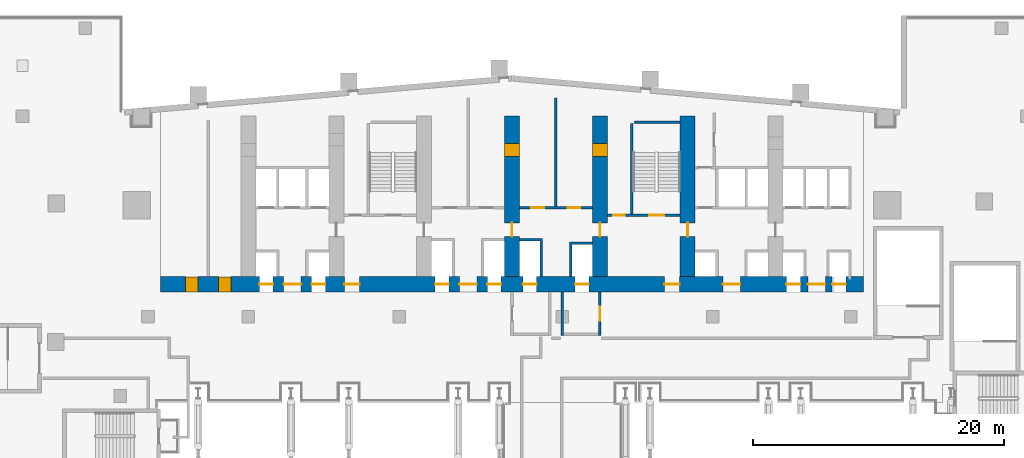
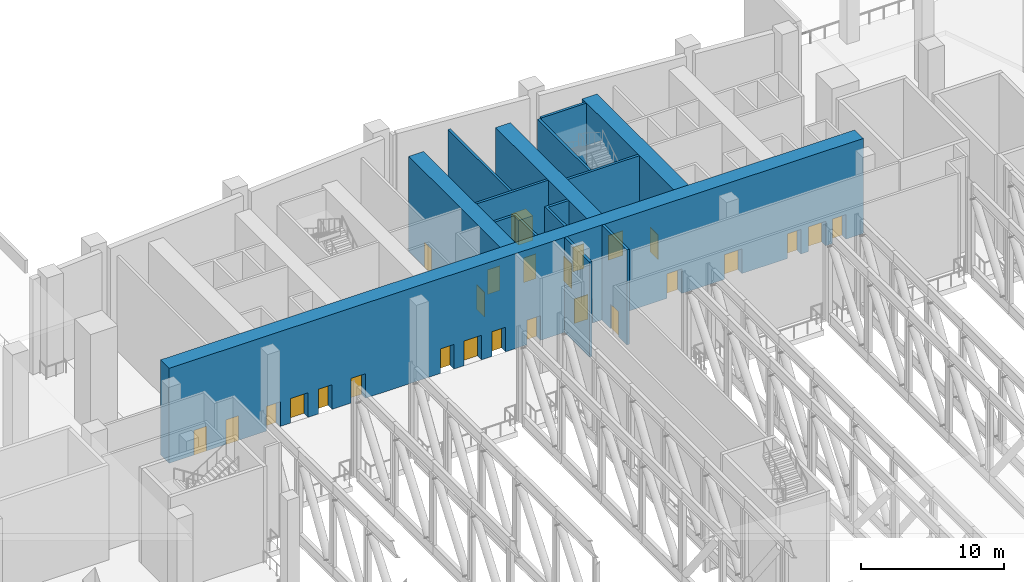
# One storey, part 13 of 33: 26 doors, 13 walls, 26 openings.
"""IFC4 building model written with IfcOpenShell, lengths in metres."""

from ifc_helpers import new_model, si_unit, direction, frame, frame_2d, origin, place, context, subcontext, project, spatial, polyline, rectangle, outline, extrude, material, layer, layer_set, type_object, element, fill, save


model = new_model("IFC4")

# Units and contexts
model_context = context("Model", 3, precision=1e-05, world=origin(), true_north=direction((0.0, 1.0)))
body_context = subcontext(model_context, "Body", "Model", "MODEL_VIEW")
ifc_project = project(units=[si_unit("LENGTHUNIT", "METRE"), si_unit("AREAUNIT", "SQUARE_METRE"), si_unit("VOLUMEUNIT", "CUBIC_METRE"), si_unit("PLANEANGLEUNIT", "RADIAN"), si_unit("MASSUNIT", "GRAM", prefix="KILO")], contexts=[model_context])

# Site, building, storey
site_placement = place(None, origin())
site = spatial("IfcSite", under=ifc_project, at=site_placement, CompositionType="ELEMENT")
building_placement = place(site_placement, origin())
building = spatial("IfcBuilding", under=site, at=building_placement, Name="Wharfspan Tower", CompositionType="ELEMENT")
storey_placement = place(building_placement, frame((0.0, 0.0, 33.0)))
storey = spatial("IfcBuildingStorey", under=building, at=storey_placement, Name="L05", CompositionType="ELEMENT", Elevation=33.0)

# Wall
ifc_material_1 = material(Name="Calcium silicate masonry", Category="masonry")
ifc_layer_1 = layer(ifc_material_1, 0.199951)
ifc_layer_set_1 = layer_set([ifc_layer_1], Name="Calcium silicate masonry")
wall_type_1 = type_object("IfcWallType", Name="Core room wall 200", PredefinedType="PARTITIONING", material=ifc_layer_set_1)
wall_1_placement = place(storey_placement, frame((40.5, 40.800049, 0.0), z_axis=(0.0, 0.0, 1.0), x_axis=(0.0, 1.0, 0.0)))
element("IfcWall", 1, at=wall_1_placement, inside=storey, type_object=wall_type_1, Name="sw:L05:RP4.1", PredefinedType="PARTITIONING", context=body_context, shape_type="SweptSolid", body=[
    extrude(rectangle(XDim=8.652588, YDim=0.199951, at=frame_2d((4.326172, 0.0))), origin(), (0.0, 0.0, 1.0), 8.100098),
])

# Wall, openings, doors
ifc_material_2 = material(Name="Concrete C70/85", Category="concrete")
ifc_layer_2 = layer(ifc_material_2, 1.199951)
ifc_layer_set_2 = layer_set([ifc_layer_2], Name="Concrete C70/85")
wall_type_2 = type_object("IfcWallType", Name="Core wall fallback 1.2", PredefinedType="SHEAR", material=ifc_layer_set_2)
wall_2_placement = place(storey_placement, frame((9.0, 34.600098, 0.0), z_axis=(0.0, 0.0, 1.0), x_axis=(1.0, 0.0, 0.0)))
wall_2 = element("IfcWall", 2, at=wall_2_placement, inside=storey, type_object=wall_type_2, Name="cw:L05:FW", PredefinedType="SHEAR", context=body_context, shape_type="SweptSolid", body=[
    extrude(rectangle(XDim=56.0, YDim=1.199951, at=frame_2d((28.0, 0.0))), origin(), (0.0, 0.0, 1.0), 8.100098),
])
opening_1_placement = place(wall_2_placement, frame((2.0, 0.0, 0.0)))
opening_1 = element("IfcOpeningElement", 3, at=opening_1_placement, cuts=wall_2, Name="Opening CD05.01", PredefinedType="OPENING", context=body_context, shape_type="SweptSolid", body=[
    extrude(rectangle(XDim=1.0, YDim=2.100098, at=frame_2d((0.5, 1.050049))), frame((0.0, 0.609863, 0.0), z_axis=(0.0, -1.0, 0.0), x_axis=(1.0, 0.0, 0.0)), (0.0, 0.0, 1.0), 1.219971),
])
opening_2_placement = place(wall_2_placement, frame((4.600098, 0.0, 0.0)))
opening_2 = element("IfcOpeningElement", 4, at=opening_2_placement, cuts=wall_2, Name="Opening CD05.02", PredefinedType="OPENING", context=body_context, shape_type="SweptSolid", body=[
    extrude(rectangle(XDim=1.0, YDim=2.100098, at=frame_2d((0.5, 1.050049))), frame((0.0, 0.609863, 0.0), z_axis=(0.0, -1.0, 0.0), x_axis=(1.0, 0.0, 0.0)), (0.0, 0.0, 1.0), 1.219971),
])
opening_3_placement = place(wall_2_placement, frame((7.866699, 0.0, 0.0)))
opening_3 = element("IfcOpeningElement", 5, at=opening_3_placement, cuts=wall_2, Name="Opening LD.LA1.L05", PredefinedType="OPENING", context=body_context, shape_type="SweptSolid", body=[
    extrude(rectangle(XDim=1.100098, YDim=2.100098, at=frame_2d((0.550049, 1.050049))), frame((0.0, 0.609863, 0.0), z_axis=(0.0, -1.0, 0.0), x_axis=(1.0, 0.0, 0.0)), (0.0, 0.0, 1.0), 1.219971),
])
opening_4_placement = place(wall_2_placement, frame((12.033203, 0.0, 0.0)))
opening_4 = element("IfcOpeningElement", 6, at=opening_4_placement, cuts=wall_2, Name="Opening LD.LA2.L05", PredefinedType="OPENING", context=body_context, shape_type="SweptSolid", body=[
    extrude(rectangle(XDim=1.100098, YDim=2.100098, at=frame_2d((0.550049, 1.050049))), frame((0.0, 0.609863, 0.0), z_axis=(0.0, -1.0, 0.0), x_axis=(1.0, 0.0, 0.0)), (0.0, 0.0, 1.0), 1.219971),
])
opening_5_placement = place(wall_2_placement, frame((9.800049, 0.0, 0.0)))
opening_5 = element("IfcOpeningElement", 7, at=opening_5_placement, cuts=wall_2, Name="Opening HD05.1", PredefinedType="OPENING", context=body_context, shape_type="SweptSolid", body=[
    extrude(rectangle(XDim=1.399902, YDim=2.100098, at=frame_2d((0.699951, 1.050049))), frame((0.0, 0.609863, 0.0), z_axis=(0.0, -1.0, 0.0), x_axis=(1.0, 0.0, 0.0)), (0.0, 0.0, 1.0), 1.219971),
])
opening_6_placement = place(wall_2_placement, frame((14.649902, 0.0, 0.0)))
opening_6 = element("IfcOpeningElement", 8, at=opening_6_placement, cuts=wall_2, Name="Opening SV2.L05", PredefinedType="OPENING", context=body_context, shape_type="SweptSolid", body=[
    extrude(rectangle(XDim=1.199951, YDim=2.100098, at=frame_2d((0.600098, 1.050049))), frame((0.0, 0.609863, 0.0), z_axis=(0.0, -1.0, 0.0), x_axis=(1.0, 0.0, 0.0)), (0.0, 0.0, 1.0), 1.219971),
])
opening_7_placement = place(wall_2_placement, frame((21.866699, 0.0, 0.0)))
opening_7 = element("IfcOpeningElement", 9, at=opening_7_placement, cuts=wall_2, Name="Opening LD.SL1.L05", PredefinedType="OPENING", context=body_context, shape_type="SweptSolid", body=[
    extrude(rectangle(XDim=1.100098, YDim=2.100098, at=frame_2d((0.550049, 1.050049))), frame((0.0, 0.609863, 0.0), z_axis=(0.0, -1.0, 0.0), x_axis=(1.0, 0.0, 0.0)), (0.0, 0.0, 1.0), 1.219971),
])
opening_8_placement = place(wall_2_placement, frame((26.033203, 0.0, 0.0)))
opening_8 = element("IfcOpeningElement", 10, at=opening_8_placement, cuts=wall_2, Name="Opening LD.SL2.L05", PredefinedType="OPENING", context=body_context, shape_type="SweptSolid", body=[
    extrude(rectangle(XDim=1.100098, YDim=2.100098, at=frame_2d((0.550049, 1.050049))), frame((0.0, 0.609863, 0.0), z_axis=(0.0, -1.0, 0.0), x_axis=(1.0, 0.0, 0.0)), (0.0, 0.0, 1.0), 1.219971),
])
opening_9_placement = place(wall_2_placement, frame((23.800049, 0.0, 0.0)))
opening_9 = element("IfcOpeningElement", 11, at=opening_9_placement, cuts=wall_2, Name="Opening HD05.3", PredefinedType="OPENING", context=body_context, shape_type="SweptSolid", body=[
    extrude(rectangle(XDim=1.399902, YDim=2.100098, at=frame_2d((0.699951, 1.050049))), frame((0.0, 0.609863, 0.0), z_axis=(0.0, -1.0, 0.0), x_axis=(1.0, 0.0, 0.0)), (0.0, 0.0, 1.0), 1.219971),
])
opening_10_placement = place(wall_2_placement, frame((28.866699, 0.0, 0.0)))
opening_10 = element("IfcOpeningElement", 12, at=opening_10_placement, cuts=wall_2, Name="Opening LD.FF1.L05", PredefinedType="OPENING", context=body_context, shape_type="SweptSolid", body=[
    extrude(rectangle(XDim=1.100098, YDim=2.100098, at=frame_2d((0.550049, 1.050049))), frame((0.0, 0.609863, 0.0), z_axis=(0.0, -1.0, 0.0), x_axis=(1.0, 0.0, 0.0)), (0.0, 0.0, 1.0), 1.219971),
])
opening_11_placement = place(wall_2_placement, frame((33.033203, 0.0, 0.0)))
opening_11 = element("IfcOpeningElement", 13, at=opening_11_placement, cuts=wall_2, Name="Opening LD.FF2.L05", PredefinedType="OPENING", context=body_context, shape_type="SweptSolid", body=[
    extrude(rectangle(XDim=1.100098, YDim=2.100098, at=frame_2d((0.550049, 1.050049))), frame((0.0, 0.609863, 0.0), z_axis=(0.0, -1.0, 0.0), x_axis=(1.0, 0.0, 0.0)), (0.0, 0.0, 1.0), 1.219971),
])
opening_12_placement = place(wall_2_placement, frame((40.149902, 0.0, 0.0)))
opening_12 = element("IfcOpeningElement", 14, at=opening_12_placement, cuts=wall_2, Name="Opening SV5.L05", PredefinedType="OPENING", context=body_context, shape_type="SweptSolid", body=[
    extrude(rectangle(XDim=1.199951, YDim=2.100098, at=frame_2d((0.600098, 1.050049))), frame((0.0, 0.609863, 0.0), z_axis=(0.0, -1.0, 0.0), x_axis=(1.0, 0.0, 0.0)), (0.0, 0.0, 1.0), 1.219971),
])
opening_13_placement = place(wall_2_placement, frame((44.800049, 0.0, 0.0)))
opening_13 = element("IfcOpeningElement", 15, at=opening_13_placement, cuts=wall_2, Name="Opening HD05.6", PredefinedType="OPENING", context=body_context, shape_type="SweptSolid", body=[
    extrude(rectangle(XDim=1.399902, YDim=2.100098, at=frame_2d((0.699951, 1.050049))), frame((0.0, 0.609863, 0.0), z_axis=(0.0, -1.0, 0.0), x_axis=(1.0, 0.0, 0.0)), (0.0, 0.0, 1.0), 1.219971),
])
opening_14_placement = place(wall_2_placement, frame((49.866699, 0.0, 0.0)))
opening_14 = element("IfcOpeningElement", 16, at=opening_14_placement, cuts=wall_2, Name="Opening LD.LA6.L05", PredefinedType="OPENING", context=body_context, shape_type="SweptSolid", body=[
    extrude(rectangle(XDim=1.100098, YDim=2.100098, at=frame_2d((0.550049, 1.050049))), frame((0.0, 0.609863, 0.0), z_axis=(0.0, -1.0, 0.0), x_axis=(1.0, 0.0, 0.0)), (0.0, 0.0, 1.0), 1.219971),
])
opening_15_placement = place(wall_2_placement, frame((53.5, 0.0, 0.0)))
opening_15 = element("IfcOpeningElement", 17, at=opening_15_placement, cuts=wall_2, Name="Opening LD.LA7.L05", PredefinedType="OPENING", context=body_context, shape_type="SweptSolid", body=[
    extrude(rectangle(XDim=1.100098, YDim=2.100098, at=frame_2d((0.550049, 1.050049))), frame((0.0, 0.609863, 0.0), z_axis=(0.0, -1.0, 0.0), x_axis=(1.0, 0.0, 0.0)), (0.0, 0.0, 1.0), 1.219971),
])
opening_16_placement = place(wall_2_placement, frame((51.56665, 0.0, 0.0)))
opening_16 = element("IfcOpeningElement", 18, at=opening_16_placement, cuts=wall_2, Name="Opening HD05.7", PredefinedType="OPENING", context=body_context, shape_type="SweptSolid", body=[
    extrude(rectangle(XDim=1.399902, YDim=2.100098, at=frame_2d((0.699951, 1.050049))), frame((0.0, 0.609863, 0.0), z_axis=(0.0, -1.0, 0.0), x_axis=(1.0, 0.0, 0.0)), (0.0, 0.0, 1.0), 1.219971),
])
ifc_material_3 = material(Name="Steel door leaf", Category="steel")
door_type_1 = type_object("IfcDoorType", Name="Core room door 1000x2100", OperationType="SINGLE_SWING_LEFT", PredefinedType="DOOR", material=ifc_material_3)
door_1_placement = place(opening_1_placement, origin())
door_1 = element("IfcDoor", 19, at=door_1_placement, inside=storey, type_object=door_type_1, Name="d:L05:0:rf", OperationType="SINGLE_SWING_LEFT", OverallHeight=2.100098, OverallWidth=1.0, PredefinedType="DOOR", context=body_context, shape_type="SweptSolid", body=[
    extrude(rectangle(XDim=1.0, YDim=2.100098, at=frame_2d((0.5, 1.050049))), frame((0.0, 0.599609, 0.0), z_axis=(0.0, -1.0, 0.0), x_axis=(1.0, 0.0, 0.0)), (0.0, 0.0, 1.0), 1.199463),
])
fill(opening_1, door_1)
door_2_placement = place(opening_2_placement, origin())
door_2 = element("IfcDoor", 20, at=door_2_placement, inside=storey, type_object=door_type_1, Name="d:L05:0:rr", OperationType="SINGLE_SWING_RIGHT", OverallHeight=2.100098, OverallWidth=1.0, PredefinedType="DOOR", context=body_context, shape_type="SweptSolid", body=[
    extrude(rectangle(XDim=1.0, YDim=2.100098, at=frame_2d((0.5, 1.050049))), frame((0.0, 0.599609, 0.0), z_axis=(0.0, -1.0, 0.0), x_axis=(1.0, 0.0, 0.0)), (0.0, 0.0, 1.0), 1.199463),
])
fill(opening_2, door_2)
door_type_2 = type_object("IfcDoorType", Name="Hall entry door 1400x2100", OperationType="DOUBLE_DOOR_SINGLE_SWING", PredefinedType="DOOR", material=ifc_material_3)
door_3_placement = place(opening_5_placement, origin())
door_3 = element("IfcDoor", 21, at=door_3_placement, inside=storey, type_object=door_type_2, Name="d:L05:1:hd1", OperationType="DOUBLE_DOOR_SINGLE_SWING", OverallHeight=2.100098, OverallWidth=1.399902, PredefinedType="DOOR", context=body_context, shape_type="SweptSolid", body=[
    extrude(rectangle(XDim=1.399902, YDim=2.100098, at=frame_2d((0.699951, 1.050049))), frame((0.0, 0.024902, 0.0), z_axis=(0.0, -1.0, 0.0), x_axis=(1.0, 0.0, 0.0)), (0.0, 0.0, 1.0), 0.050049),
])
fill(opening_5, door_3)
door_4_placement = place(opening_9_placement, origin())
door_4 = element("IfcDoor", 22, at=door_4_placement, inside=storey, type_object=door_type_2, Name="d:L05:3:hd3", OperationType="DOUBLE_DOOR_SINGLE_SWING", OverallHeight=2.100098, OverallWidth=1.399902, PredefinedType="DOOR", context=body_context, shape_type="SweptSolid", body=[
    extrude(rectangle(XDim=1.399902, YDim=2.100098, at=frame_2d((0.699951, 1.050049))), frame((0.0, 0.024902, 0.0), z_axis=(0.0, -1.0, 0.0), x_axis=(1.0, 0.0, 0.0)), (0.0, 0.0, 1.0), 0.050049),
])
fill(opening_9, door_4)
door_5_placement = place(opening_13_placement, origin())
door_5 = element("IfcDoor", 23, at=door_5_placement, inside=storey, type_object=door_type_2, Name="d:L05:6:hd6", OperationType="DOUBLE_DOOR_SINGLE_SWING", OverallHeight=2.100098, OverallWidth=1.399902, PredefinedType="DOOR", context=body_context, shape_type="SweptSolid", body=[
    extrude(rectangle(XDim=1.399902, YDim=2.100098, at=frame_2d((0.699951, 1.050049))), frame((0.0, 0.024902, 0.0), z_axis=(0.0, -1.0, 0.0), x_axis=(1.0, 0.0, 0.0)), (0.0, 0.0, 1.0), 0.050049),
])
fill(opening_13, door_5)
door_6_placement = place(opening_16_placement, origin())
door_6 = element("IfcDoor", 24, at=door_6_placement, inside=storey, type_object=door_type_2, Name="d:L05:7:hd7", OperationType="DOUBLE_DOOR_SINGLE_SWING", OverallHeight=2.100098, OverallWidth=1.399902, PredefinedType="DOOR", context=body_context, shape_type="SweptSolid", body=[
    extrude(rectangle(XDim=1.399902, YDim=2.100098, at=frame_2d((0.699951, 1.050049))), frame((0.0, 0.024902, 0.0), z_axis=(0.0, -1.0, 0.0), x_axis=(1.0, 0.0, 0.0)), (0.0, 0.0, 1.0), 0.050049),
])
fill(opening_16, door_6)
ifc_material_4 = material(Name="Stainless steel", Category="steel")
door_type_3 = type_object("IfcDoorType", Name="Lift landing door 1100x2100", OperationType="DOUBLE_DOOR_SLIDING", PredefinedType="DOOR", material=ifc_material_4)
door_7_placement = place(opening_3_placement, origin())
door_7 = element("IfcDoor", 25, at=door_7_placement, inside=storey, type_object=door_type_3, Name="Landing door LA1 L05", OperationType="DOUBLE_DOOR_SLIDING", OverallHeight=2.100098, OverallWidth=1.100098, PredefinedType="DOOR", context=body_context, shape_type="SweptSolid", body=[
    extrude(rectangle(XDim=1.100098, YDim=2.100098, at=frame_2d((0.550049, 1.050049))), frame((0.0, 0.024902, 0.0), z_axis=(0.0, -1.0, 0.0), x_axis=(1.0, 0.0, 0.0)), (0.0, 0.0, 1.0), 0.050049),
])
fill(opening_3, door_7)
door_8_placement = place(opening_4_placement, origin())
door_8 = element("IfcDoor", 26, at=door_8_placement, inside=storey, type_object=door_type_3, Name="Landing door LA2 L05", OperationType="DOUBLE_DOOR_SLIDING", OverallHeight=2.100098, OverallWidth=1.100098, PredefinedType="DOOR", context=body_context, shape_type="SweptSolid", body=[
    extrude(rectangle(XDim=1.100098, YDim=2.100098, at=frame_2d((0.550049, 1.050049))), frame((0.0, 0.024902, 0.0), z_axis=(0.0, -1.0, 0.0), x_axis=(1.0, 0.0, 0.0)), (0.0, 0.0, 1.0), 0.050049),
])
fill(opening_4, door_8)
door_9_placement = place(opening_7_placement, origin())
door_9 = element("IfcDoor", 27, at=door_9_placement, inside=storey, type_object=door_type_3, Name="Landing door SL1 L05", OperationType="DOUBLE_DOOR_SLIDING", OverallHeight=2.100098, OverallWidth=1.100098, PredefinedType="DOOR", context=body_context, shape_type="SweptSolid", body=[
    extrude(rectangle(XDim=1.100098, YDim=2.100098, at=frame_2d((0.550049, 1.050049))), frame((0.0, 0.024902, 0.0), z_axis=(0.0, -1.0, 0.0), x_axis=(1.0, 0.0, 0.0)), (0.0, 0.0, 1.0), 0.050049),
])
fill(opening_7, door_9)
door_10_placement = place(opening_8_placement, origin())
door_10 = element("IfcDoor", 28, at=door_10_placement, inside=storey, type_object=door_type_3, Name="Landing door SL2 L05", OperationType="DOUBLE_DOOR_SLIDING", OverallHeight=2.100098, OverallWidth=1.100098, PredefinedType="DOOR", context=body_context, shape_type="SweptSolid", body=[
    extrude(rectangle(XDim=1.100098, YDim=2.100098, at=frame_2d((0.550049, 1.050049))), frame((0.0, 0.024902, 0.0), z_axis=(0.0, -1.0, 0.0), x_axis=(1.0, 0.0, 0.0)), (0.0, 0.0, 1.0), 0.050049),
])
fill(opening_8, door_10)
door_11_placement = place(opening_10_placement, origin())
door_11 = element("IfcDoor", 29, at=door_11_placement, inside=storey, type_object=door_type_3, Name="Landing door FF1 L05", OperationType="DOUBLE_DOOR_SLIDING", OverallHeight=2.100098, OverallWidth=1.100098, PredefinedType="DOOR", context=body_context, shape_type="SweptSolid", body=[
    extrude(rectangle(XDim=1.100098, YDim=2.100098, at=frame_2d((0.550049, 1.050049))), frame((0.0, 0.024902, 0.0), z_axis=(0.0, -1.0, 0.0), x_axis=(1.0, 0.0, 0.0)), (0.0, 0.0, 1.0), 0.050049),
])
fill(opening_10, door_11)
door_12_placement = place(opening_11_placement, origin())
door_12 = element("IfcDoor", 30, at=door_12_placement, inside=storey, type_object=door_type_3, Name="Landing door FF2 L05", OperationType="DOUBLE_DOOR_SLIDING", OverallHeight=2.100098, OverallWidth=1.100098, PredefinedType="DOOR", context=body_context, shape_type="SweptSolid", body=[
    extrude(rectangle(XDim=1.100098, YDim=2.100098, at=frame_2d((0.550049, 1.050049))), frame((0.0, 0.024902, 0.0), z_axis=(0.0, -1.0, 0.0), x_axis=(1.0, 0.0, 0.0)), (0.0, 0.0, 1.0), 0.050049),
])
fill(opening_11, door_12)
door_13_placement = place(opening_14_placement, origin())
door_13 = element("IfcDoor", 31, at=door_13_placement, inside=storey, type_object=door_type_3, Name="Landing door LA6 L05", OperationType="DOUBLE_DOOR_SLIDING", OverallHeight=2.100098, OverallWidth=1.100098, PredefinedType="DOOR", context=body_context, shape_type="SweptSolid", body=[
    extrude(rectangle(XDim=1.100098, YDim=2.100098, at=frame_2d((0.550049, 1.050049))), frame((0.0, 0.024902, 0.0), z_axis=(0.0, -1.0, 0.0), x_axis=(1.0, 0.0, 0.0)), (0.0, 0.0, 1.0), 0.050049),
])
fill(opening_14, door_13)
door_14_placement = place(opening_15_placement, origin())
door_14 = element("IfcDoor", 32, at=door_14_placement, inside=storey, type_object=door_type_3, Name="Landing door LA7 L05", OperationType="DOUBLE_DOOR_SLIDING", OverallHeight=2.100098, OverallWidth=1.100098, PredefinedType="DOOR", context=body_context, shape_type="SweptSolid", body=[
    extrude(rectangle(XDim=1.100098, YDim=2.100098, at=frame_2d((0.550049, 1.050049))), frame((0.0, 0.024902, 0.0), z_axis=(0.0, -1.0, 0.0), x_axis=(1.0, 0.0, 0.0)), (0.0, 0.0, 1.0), 0.050049),
])
fill(opening_15, door_14)
door_type_4 = type_object("IfcDoorType", Name="Stair door 1200x2100", OperationType="SINGLE_SWING_LEFT", PredefinedType="DOOR", material=ifc_material_3)
door_15_placement = place(opening_6_placement, origin())
door_15 = element("IfcDoor", 33, at=door_15_placement, inside=storey, type_object=door_type_4, Name="vd:L05:2", OperationType="SINGLE_SWING_LEFT", OverallHeight=2.100098, OverallWidth=1.199951, PredefinedType="DOOR", context=body_context, shape_type="SweptSolid", body=[
    extrude(rectangle(XDim=1.199951, YDim=2.100098, at=frame_2d((0.600098, 1.050049))), frame((0.0, 0.024902, 0.0), z_axis=(0.0, -1.0, 0.0), x_axis=(1.0, 0.0, 0.0)), (0.0, 0.0, 1.0), 0.050049),
])
fill(opening_6, door_15)
door_16_placement = place(opening_12_placement, origin())
door_16 = element("IfcDoor", 34, at=door_16_placement, inside=storey, type_object=door_type_4, Name="vd:L05:5", OperationType="SINGLE_SWING_LEFT", OverallHeight=2.100098, OverallWidth=1.199951, PredefinedType="DOOR", context=body_context, shape_type="SweptSolid", body=[
    extrude(rectangle(XDim=1.199951, YDim=2.100098, at=frame_2d((0.600098, 1.050049))), frame((0.0, 0.024902, 0.0), z_axis=(0.0, -1.0, 0.0), x_axis=(1.0, 0.0, 0.0)), (0.0, 0.0, 1.0), 0.050049),
])
fill(opening_12, door_16)

wall_3_placement = place(storey_placement, frame((37.0, 35.199951, 0.0), z_axis=(0.0, 0.0, 1.0), x_axis=(0.0, 1.0, 0.0)))
wall_3 = element("IfcWall", 35, at=wall_3_placement, inside=storey, type_object=wall_type_2, Name="cw:L05:X4", PredefinedType="SHEAR", context=body_context, shape_type="SweptSolid", body=[
    extrude(rectangle(XDim=12.800049, YDim=1.199951, at=frame_2d((6.399902, 0.0))), origin(), (0.0, 0.0, 1.0), 8.100098),
])
opening_17_placement = place(wall_3_placement, frame((3.199951, 0.0, 0.0)))
opening_17 = element("IfcOpeningElement", 36, at=opening_17_placement, cuts=wall_3, Name="Opening CC05.4", PredefinedType="OPENING", context=body_context, shape_type="SweptSolid", body=[
    extrude(rectangle(XDim=1.100098, YDim=2.100098, at=frame_2d((0.550049, 1.050049))), frame((0.0, 0.609863, 0.0), z_axis=(0.0, -1.0, 0.0), x_axis=(1.0, 0.0, 0.0)), (0.0, 0.0, 1.0), 1.219971),
])
opening_18_placement = place(wall_3_placement, frame((9.600098, 0.0, 0.0)))
opening_18 = element("IfcOpeningElement", 37, at=opening_18_placement, cuts=wall_3, Name="Opening CR05.4", PredefinedType="OPENING", context=body_context, shape_type="SweptSolid", body=[
    extrude(rectangle(XDim=1.0, YDim=2.100098, at=frame_2d((0.5, 1.050049))), frame((0.0, 0.609863, 0.0), z_axis=(0.0, -1.0, 0.0), x_axis=(1.0, 0.0, 0.0)), (0.0, 0.0, 1.0), 1.219971),
])
door_type_5 = type_object("IfcDoorType", Name="Core corridor door 1100x2100", OperationType="SINGLE_SWING_LEFT", PredefinedType="DOOR", material=ifc_material_3)
door_17_placement = place(opening_17_placement, origin())
door_17 = element("IfcDoor", 38, at=door_17_placement, inside=storey, type_object=door_type_5, Name="xd:L05:4", OperationType="SINGLE_SWING_RIGHT", OverallHeight=2.100098, OverallWidth=1.100098, PredefinedType="DOOR", context=body_context, shape_type="SweptSolid", body=[
    extrude(rectangle(XDim=1.100098, YDim=2.100098, at=frame_2d((0.550049, 1.050049))), frame((0.0, 0.024902, 0.0), z_axis=(0.0, -1.0, 0.0), x_axis=(1.0, 0.0, 0.0)), (0.0, 0.0, 1.0), 0.050049),
])
fill(opening_17, door_17)
door_18_placement = place(opening_18_placement, origin())
door_18 = element("IfcDoor", 39, at=door_18_placement, inside=storey, type_object=door_type_1, Name="xr:L05:4", OperationType="SINGLE_SWING_RIGHT", OverallHeight=2.100098, OverallWidth=1.0, PredefinedType="DOOR", context=body_context, shape_type="SweptSolid", body=[
    extrude(rectangle(XDim=1.0, YDim=2.100098, at=frame_2d((0.5, 1.050049))), frame((0.0, 0.599609, 0.0), z_axis=(0.0, -1.0, 0.0), x_axis=(1.0, 0.0, 0.0)), (0.0, 0.0, 1.0), 1.199463),
])
fill(opening_18, door_18)

wall_4_placement = place(storey_placement, frame((44.0, 35.199951, 0.0), z_axis=(0.0, 0.0, 1.0), x_axis=(0.0, 1.0, 0.0)))
wall_4 = element("IfcWall", 40, at=wall_4_placement, inside=storey, type_object=wall_type_2, Name="cw:L05:X5", PredefinedType="SHEAR", context=body_context, shape_type="SweptSolid", body=[
    extrude(rectangle(XDim=12.800049, YDim=1.199951, at=frame_2d((6.399902, 0.0))), origin(), (0.0, 0.0, 1.0), 8.100098),
])
opening_19_placement = place(wall_4_placement, frame((3.199951, 0.0, 0.0)))
opening_19 = element("IfcOpeningElement", 41, at=opening_19_placement, cuts=wall_4, Name="Opening CC05.5", PredefinedType="OPENING", context=body_context, shape_type="SweptSolid", body=[
    extrude(rectangle(XDim=1.100098, YDim=2.100098, at=frame_2d((0.550049, 1.050049))), frame((0.0, 0.609863, 0.0), z_axis=(0.0, -1.0, 0.0), x_axis=(1.0, 0.0, 0.0)), (0.0, 0.0, 1.0), 1.219971),
])
opening_20_placement = place(wall_4_placement, frame((9.600098, 0.0, 0.0)))
opening_20 = element("IfcOpeningElement", 42, at=opening_20_placement, cuts=wall_4, Name="Opening CR05.5", PredefinedType="OPENING", context=body_context, shape_type="SweptSolid", body=[
    extrude(rectangle(XDim=1.0, YDim=2.100098, at=frame_2d((0.5, 1.050049))), frame((0.0, 0.609863, 0.0), z_axis=(0.0, -1.0, 0.0), x_axis=(1.0, 0.0, 0.0)), (0.0, 0.0, 1.0), 1.219971),
])
door_19_placement = place(opening_19_placement, origin())
door_19 = element("IfcDoor", 43, at=door_19_placement, inside=storey, type_object=door_type_5, Name="xd:L05:5", OperationType="SINGLE_SWING_LEFT", OverallHeight=2.100098, OverallWidth=1.100098, PredefinedType="DOOR", context=body_context, shape_type="SweptSolid", body=[
    extrude(rectangle(XDim=1.100098, YDim=2.100098, at=frame_2d((0.550049, 1.050049))), frame((0.0, 0.024902, 0.0), z_axis=(0.0, -1.0, 0.0), x_axis=(1.0, 0.0, 0.0)), (0.0, 0.0, 1.0), 0.050049),
])
fill(opening_19, door_19)
door_20_placement = place(opening_20_placement, origin())
door_20 = element("IfcDoor", 44, at=door_20_placement, inside=storey, type_object=door_type_1, Name="xr:L05:5", OperationType="SINGLE_SWING_RIGHT", OverallHeight=2.100098, OverallWidth=1.0, PredefinedType="DOOR", context=body_context, shape_type="SweptSolid", body=[
    extrude(rectangle(XDim=1.0, YDim=2.100098, at=frame_2d((0.5, 1.050049))), frame((0.0, 0.599609, 0.0), z_axis=(0.0, -1.0, 0.0), x_axis=(1.0, 0.0, 0.0)), (0.0, 0.0, 1.0), 1.199463),
])
fill(opening_20, door_20)

# Wall, opening, door
wall_5_placement = place(storey_placement, frame((51.0, 35.199951, 0.0), z_axis=(0.0, 0.0, 1.0), x_axis=(0.0, 1.0, 0.0)))
wall_5 = element("IfcWall", 45, at=wall_5_placement, inside=storey, type_object=wall_type_2, Name="cw:L05:X6", PredefinedType="SHEAR", context=body_context, shape_type="SweptSolid", body=[
    extrude(rectangle(XDim=12.800049, YDim=1.199951, at=frame_2d((6.399902, 0.0))), origin(), (0.0, 0.0, 1.0), 8.100098),
])
opening_21_placement = place(wall_5_placement, frame((3.199951, 0.0, 0.0)))
opening_21 = element("IfcOpeningElement", 46, at=opening_21_placement, cuts=wall_5, Name="Opening CC05.6", PredefinedType="OPENING", context=body_context, shape_type="SweptSolid", body=[
    extrude(rectangle(XDim=1.100098, YDim=2.100098, at=frame_2d((0.550049, 1.050049))), frame((0.0, 0.609863, 0.0), z_axis=(0.0, -1.0, 0.0), x_axis=(1.0, 0.0, 0.0)), (0.0, 0.0, 1.0), 1.219971),
])
door_21_placement = place(opening_21_placement, origin())
door_21 = element("IfcDoor", 47, at=door_21_placement, inside=storey, type_object=door_type_5, Name="xd:L05:6", OperationType="SINGLE_SWING_RIGHT", OverallHeight=2.100098, OverallWidth=1.100098, PredefinedType="DOOR", context=body_context, shape_type="SweptSolid", body=[
    extrude(rectangle(XDim=1.100098, YDim=2.100098, at=frame_2d((0.550049, 1.050049))), frame((0.0, 0.024902, 0.0), z_axis=(0.0, -1.0, 0.0), x_axis=(1.0, 0.0, 0.0)), (0.0, 0.0, 1.0), 0.050049),
])
fill(opening_21, door_21)

# Wall, openings, doors
ifc_material_5 = material(Name="Concrete C30/37", Category="concrete")
ifc_layer_3 = layer(ifc_material_5, 0.199951)
ifc_layer_set_3 = layer_set([ifc_layer_3], Name="Concrete C30/37")
wall_type_3 = type_object("IfcWallType", Name="Lift shaft wall 200", PredefinedType="PARTITIONING", material=ifc_layer_set_3)
wall_6_placement = place(storey_placement, frame((37.600098, 40.699951, 0.0), z_axis=(0.0, 0.0, 1.0), x_axis=(1.0, 0.0, 0.0)))
wall_6 = element("IfcWall", 48, at=wall_6_placement, inside=storey, type_object=wall_type_3, Name="sw:L05:RF4", PredefinedType="PARTITIONING", context=body_context, shape_type="SweptSolid", body=[
    extrude(rectangle(XDim=5.799805, YDim=0.199951, at=frame_2d((2.899902, 0.0))), origin(), (0.0, 0.0, 1.0), 8.100098),
])
opening_22_placement = place(wall_6_placement, frame((0.949951, 0.0, 0.0)))
opening_22 = element("IfcOpeningElement", 49, at=opening_22_placement, cuts=wall_6, Name="Opening CD05.4S", PredefinedType="OPENING", context=body_context, shape_type="SweptSolid", body=[
    extrude(rectangle(XDim=1.0, YDim=2.100098, at=frame_2d((0.5, 1.050049))), frame((0.0, 0.109863, 0.0), z_axis=(0.0, -1.0, 0.0), x_axis=(1.0, 0.0, 0.0)), (0.0, 0.0, 1.0), 0.219971),
])
opening_23_placement = place(wall_6_placement, frame((3.850098, 0.0, 0.0)))
opening_23 = element("IfcOpeningElement", 50, at=opening_23_placement, cuts=wall_6, Name="Opening CD05.4Sa", PredefinedType="OPENING", context=body_context, shape_type="SweptSolid", body=[
    extrude(rectangle(XDim=1.0, YDim=2.100098, at=frame_2d((0.5, 1.050049))), frame((0.0, 0.109863, 0.0), z_axis=(0.0, -1.0, 0.0), x_axis=(1.0, 0.0, 0.0)), (0.0, 0.0, 1.0), 0.219971),
])
door_22_placement = place(opening_22_placement, origin())
door_22 = element("IfcDoor", 51, at=door_22_placement, inside=storey, type_object=door_type_1, Name="d:L05:4:sf", OperationType="SINGLE_SWING_LEFT", OverallHeight=2.100098, OverallWidth=1.0, PredefinedType="DOOR", context=body_context, shape_type="SweptSolid", body=[
    extrude(rectangle(XDim=1.0, YDim=2.100098, at=frame_2d((0.5, 1.050049))), frame((0.0, 0.024902, 0.0), z_axis=(0.0, -1.0, 0.0), x_axis=(1.0, 0.0, 0.0)), (0.0, 0.0, 1.0), 0.050049),
])
fill(opening_22, door_22)
door_23_placement = place(opening_23_placement, origin())
door_23 = element("IfcDoor", 52, at=door_23_placement, inside=storey, type_object=door_type_1, Name="d:L05:4:sf1", OperationType="SINGLE_SWING_LEFT", OverallHeight=2.100098, OverallWidth=1.0, PredefinedType="DOOR", context=body_context, shape_type="SweptSolid", body=[
    extrude(rectangle(XDim=1.0, YDim=2.100098, at=frame_2d((0.5, 1.050049))), frame((0.0, 0.024902, 0.0), z_axis=(0.0, -1.0, 0.0), x_axis=(1.0, 0.0, 0.0)), (0.0, 0.0, 1.0), 0.050049),
])
fill(opening_23, door_23)

# Walls
wall_7_placement = place(storey_placement, origin())
element("IfcWall", 53, at=wall_7_placement, inside=storey, type_object=wall_type_3, Name="sw:L05:FM4.0", PredefinedType="PARTITIONING", context=body_context, shape_type="SweptSolid", body=[
    extrude(outline(polyline([(41.56665, 37.949951), (41.766602, 37.949951), (43.399902, 37.949951), (43.399902, 37.75), (41.766602, 37.75), (41.766602, 35.199951), (41.56665, 35.199951), (41.56665, 37.949951)])), origin(), (0.0, 0.0, 1.0), 8.100098),
])
wall_8_placement = place(storey_placement, origin())
element("IfcWall", 54, at=wall_8_placement, inside=storey, type_object=wall_type_3, Name="sw:L05:FM4.1", PredefinedType="PARTITIONING", context=body_context, shape_type="SweptSolid", body=[
    extrude(outline(polyline([(39.233398, 38.050049), (37.600098, 38.050049), (37.600098, 38.25), (39.233398, 38.25), (39.43335, 38.25), (39.43335, 35.199951), (39.233398, 35.199951), (39.233398, 38.050049)])), origin(), (0.0, 0.0, 1.0), 8.100098),
])
ifc_layer_4 = layer(ifc_material_5, 0.199951)
ifc_layer_set_4 = layer_set([ifc_layer_4], Name="Concrete C30/37")
wall_type_4 = type_object("IfcWallType", Name="Lobby wall 200", PredefinedType="PARTITIONING", material=ifc_layer_set_4)
wall_9_placement = place(storey_placement, frame((41.0, 30.5, 0.0), z_axis=(0.0, 0.0, 1.0), x_axis=(0.0, 1.0, 0.0)))
element("IfcWall", 55, at=wall_9_placement, inside=storey, type_object=wall_type_4, Name="sw:L05:FLFF2W", PredefinedType="PARTITIONING", context=body_context, shape_type="SweptSolid", body=[
    extrude(rectangle(XDim=3.5, YDim=0.199951, at=frame_2d((1.75, 0.0))), origin(), (0.0, 0.0, 1.0), 8.100098),
])

# Wall, opening, door
wall_10_placement = place(storey_placement, frame((44.0, 30.5, 0.0), z_axis=(0.0, 0.0, 1.0), x_axis=(0.0, 1.0, 0.0)))
wall_10 = element("IfcWall", 56, at=wall_10_placement, inside=storey, type_object=wall_type_4, Name="sw:L05:FLFF2E", PredefinedType="PARTITIONING", context=body_context, shape_type="SweptSolid", body=[
    extrude(rectangle(XDim=3.5, YDim=0.199951, at=frame_2d((1.75, 0.0))), origin(), (0.0, 0.0, 1.0), 8.100098),
])
opening_24_placement = place(wall_10_placement, frame((1.199951, 0.0, 0.0)))
opening_24 = element("IfcOpeningElement", 57, at=opening_24_placement, cuts=wall_10, Name="Opening FL.FF2.L05", PredefinedType="OPENING", context=body_context, shape_type="SweptSolid", body=[
    extrude(rectangle(XDim=1.100098, YDim=2.100098, at=frame_2d((0.550049, 1.050049))), frame((0.0, 0.109863, 0.0), z_axis=(0.0, -1.0, 0.0), x_axis=(1.0, 0.0, 0.0)), (0.0, 0.0, 1.0), 0.219971),
])
door_type_6 = type_object("IfcDoorType", Name="Firefighting lobby door 1100x2100", OperationType="SINGLE_SWING_LEFT", PredefinedType="DOOR", material=ifc_material_3)
door_24_placement = place(opening_24_placement, origin())
door_24 = element("IfcDoor", 58, at=door_24_placement, inside=storey, type_object=door_type_6, Name="fd:L05:FF2", OperationType="SINGLE_SWING_LEFT", OverallHeight=2.100098, OverallWidth=1.100098, PredefinedType="DOOR", context=body_context, shape_type="SweptSolid", body=[
    extrude(rectangle(XDim=1.100098, YDim=2.100098, at=frame_2d((0.550049, 1.050049))), frame((0.0, 0.024902, 0.0), z_axis=(0.0, -1.0, 0.0), x_axis=(1.0, 0.0, 0.0)), (0.0, 0.0, 1.0), 0.050049),
])
fill(opening_24, door_24)

# Wall, openings, doors
ifc_material_6 = material(Name="Concrete C40/50", Category="concrete")
ifc_layer_5 = layer(ifc_material_6, 0.199951)
ifc_layer_set_5 = layer_set([ifc_layer_5], Name="Concrete C40/50")
wall_type_5 = type_object("IfcWallType", Name="Stair shaft wall 200", PredefinedType="SHEAR", material=ifc_layer_set_5)
wall_11_placement = place(storey_placement, frame((44.600098, 40.100098, 0.0), z_axis=(0.0, 0.0, 1.0), x_axis=(1.0, 0.0, 0.0)))
wall_11 = element("IfcWall", 59, at=wall_11_placement, inside=storey, type_object=wall_type_5, Name="ST2 stair enclosure wall L05", PredefinedType="SHEAR", context=body_context, shape_type="SweptSolid", body=[
    extrude(rectangle(XDim=5.799805, YDim=0.199951, at=frame_2d((2.899902, 0.0))), origin(), (0.0, 0.0, 1.0), 8.100098),
])
opening_25_placement = place(wall_11_placement, frame((3.324951, 0.0, 0.0)))
opening_25 = element("IfcOpeningElement", 60, at=opening_25_placement, cuts=wall_11, Name="Opening SD5.L05", PredefinedType="OPENING", context=body_context, shape_type="SweptSolid", body=[
    extrude(rectangle(XDim=1.199951, YDim=2.100098, at=frame_2d((0.600098, 1.050049))), frame((0.0, 0.109863, 0.0), z_axis=(0.0, -1.0, 0.0), x_axis=(1.0, 0.0, 0.0)), (0.0, 0.0, 1.0), 0.219971),
])
opening_26_placement = place(wall_11_placement, frame((0.475098, 0.0, 0.0)))
opening_26 = element("IfcOpeningElement", 61, at=opening_26_placement, cuts=wall_11, Name="Opening CD05.5R", PredefinedType="OPENING", context=body_context, shape_type="SweptSolid", body=[
    extrude(rectangle(XDim=0.899902, YDim=2.100098, at=frame_2d((0.449951, 1.050049))), frame((0.0, 0.109863, 0.0), z_axis=(0.0, -1.0, 0.0), x_axis=(1.0, 0.0, 0.0)), (0.0, 0.0, 1.0), 0.219971),
])
door_25_placement = place(opening_26_placement, origin())
door_25 = element("IfcDoor", 62, at=door_25_placement, inside=storey, type_object=door_type_1, Name="rk:L05:5", OperationType="SINGLE_SWING_LEFT", OverallHeight=2.100098, OverallWidth=0.899902, PredefinedType="DOOR", context=body_context, shape_type="SweptSolid", body=[
    extrude(rectangle(XDim=0.899902, YDim=2.100098, at=frame_2d((0.449951, 1.050049))), frame((0.0, 0.024902, 0.0), z_axis=(0.0, -1.0, 0.0), x_axis=(1.0, 0.0, 0.0)), (0.0, 0.0, 1.0), 0.050049),
])
fill(opening_26, door_25)
door_26_placement = place(opening_25_placement, origin())
door_26 = element("IfcDoor", 63, at=door_26_placement, inside=storey, type_object=door_type_4, Name="sd:L05:5", OperationType="SINGLE_SWING_RIGHT", OverallHeight=2.100098, OverallWidth=1.199951, PredefinedType="DOOR", context=body_context, shape_type="SweptSolid", body=[
    extrude(rectangle(XDim=1.199951, YDim=2.100098, at=frame_2d((0.600098, 1.050049))), frame((0.0, 0.024902, 0.0), z_axis=(0.0, -1.0, 0.0), x_axis=(1.0, 0.0, 0.0)), (0.0, 0.0, 1.0), 0.050049),
])
fill(opening_25, door_26)

# Walls
wall_12_placement = place(storey_placement, frame((46.550049, 40.199951, 0.0), z_axis=(0.0, 0.0, 1.0), x_axis=(0.0, 1.0, 0.0)))
element("IfcWall", 64, at=wall_12_placement, inside=storey, type_object=wall_type_5, Name="ST2 stair enclosure wall L05", PredefinedType="SHEAR", context=body_context, shape_type="SweptSolid", body=[
    extrude(rectangle(XDim=7.199951, YDim=0.199951, at=frame_2d((3.600098, 0.0))), origin(), (0.0, 0.0, 1.0), 8.100098),
])
wall_13_placement = place(storey_placement, frame((46.75, 47.5, 0.0), z_axis=(0.0, 0.0, 1.0), x_axis=(1.0, 0.0, 0.0)))
element("IfcWall", 65, at=wall_13_placement, inside=storey, type_object=wall_type_5, Name="ST2 stair enclosure wall L05", PredefinedType="SHEAR", context=body_context, shape_type="SweptSolid", body=[
    extrude(rectangle(XDim=3.649902, YDim=0.199951, at=frame_2d((1.824951, 0.0))), origin(), (0.0, 0.0, 1.0), 8.100098),
])

save(model, "model.ifc")
